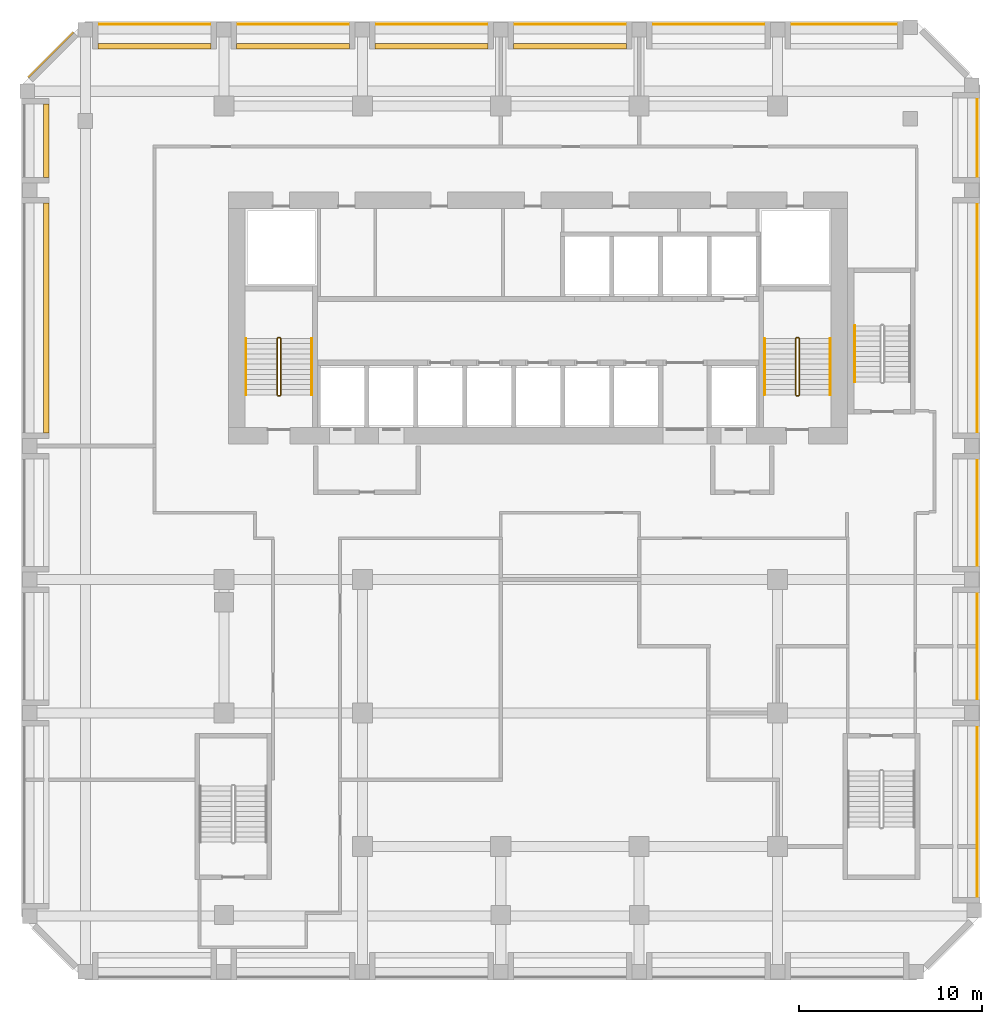
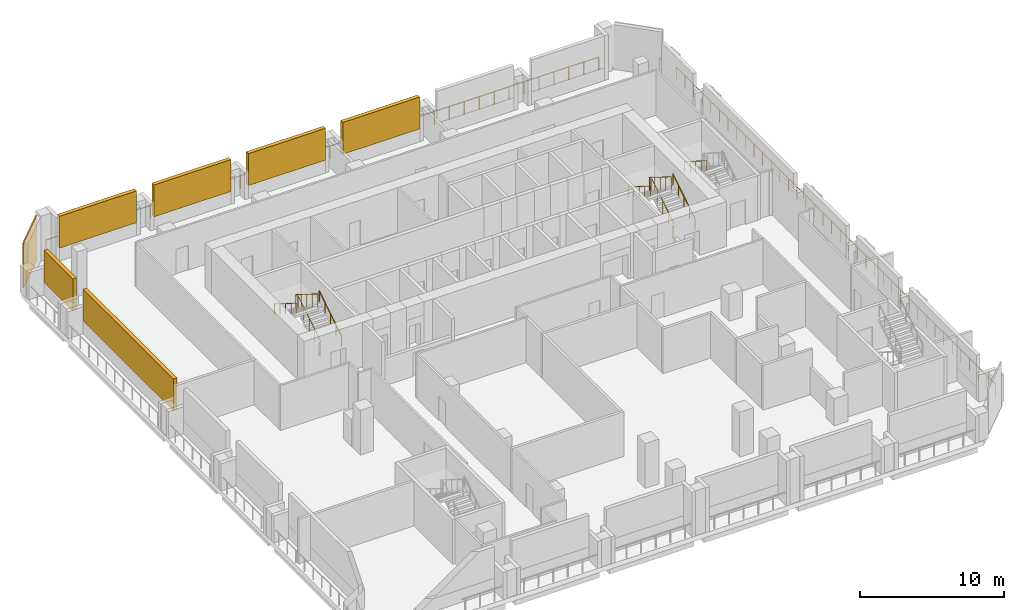
# One storey, part 9 of 10: 9 railings, 7 shading devices.
"""IFC4 building model written with IfcOpenShell, lengths in metres."""

from ifc_helpers import new_model, si_unit, direction, frame, origin, origin_2d, place, context, subcontext, project, spatial, rectangle, circle, extrude, source, transform, mapped, material, layer, layer_set, type_object, element, save


model = new_model("IFC4")

# Units and contexts
model_context = context("Model", 3, precision=1e-05, world=origin(), true_north=direction((0.0, 1.0)))
body_context = subcontext(model_context, "Body", "Model", "MODEL_VIEW")
ifc_project = project(units=[si_unit("LENGTHUNIT", "METRE"), si_unit("AREAUNIT", "SQUARE_METRE"), si_unit("VOLUMEUNIT", "CUBIC_METRE"), si_unit("PLANEANGLEUNIT", "RADIAN"), si_unit("MASSUNIT", "GRAM", prefix="KILO")], contexts=[model_context])

# Site, building, storey
site_placement = place(None, origin())
site = spatial("IfcSite", under=ifc_project, at=site_placement, CompositionType="ELEMENT")
building_placement = place(site_placement, origin())
building = spatial("IfcBuilding", under=site, at=building_placement, Name="Kilnfold Tower and Market Hall", CompositionType="ELEMENT")
storey_placement = place(building_placement, frame((0.0, 0.0, 164.300048828125)))
storey = spatial("IfcBuildingStorey", under=building, at=storey_placement, Name="L38 Plant Transfer Level", CompositionType="ELEMENT", Elevation=164.300048828125)

# Railings
ifc_material_1 = material(Name="Stainless steel 316", Category="steel")
railing_type_1 = type_object("IfcRailingType", Name="CORE STAIR GUARD 1100", PredefinedType="GUARDRAIL", material=ifc_material_1)
railing_1_placement = place(storey_placement, frame((-13.199951171875, 10.75, 0.0)))
element("IfcRailing", 1, at=railing_1_placement, inside=storey, type_object=railing_type_1, Name="L38 Plant Transfer Level ST1 stair guard 1", PredefinedType="GUARDRAIL", context=body_context, shape_type="SweptSolid", body=[
    extrude(circle(Radius=0.02392578125, at=origin_2d()), frame((0.0, 0.0, 1.076171875), z_axis=(1.0, 0.0, 0.0), x_axis=(0.0, 1.0, 0.0)), (0.0, 0.0, 1.0), 0.099853515625),
    extrude(circle(Radius=0.02392578125, at=origin_2d()), frame((0.099853515625, 0.0, 1.076171875), z_axis=(0.265065253269, 0.265065253269, 0.927081885822), x_axis=(-0.707106781187, 0.707106781187, 0.0)), (0.0, 0.0, 1.0), 0.188720703125),
    extrude(circle(Radius=0.02392578125, at=origin_2d()), frame((0.14990234375, 0.050048828125, 1.2509765625), z_axis=(0.0, 0.848009633417, 0.529980812513), x_axis=(-1.0, 0.0, 0.0)), (0.0, 0.0, 1.0), 3.6318359375),
    extrude(circle(Radius=0.02392578125, at=origin_2d()), frame((0.14990234375, 3.1298828125, 3.17578125), z_axis=(-0.707106781187, 0.707106781187, 0.0), x_axis=(-0.707106781187, -0.707106781187, 0.0)), (0.0, 0.0, 1.0), 0.07080078125),
    extrude(circle(Radius=0.02392578125, at=origin_2d()), frame((0.099853515625, 3.179931640625, 3.17578125), z_axis=(-1.0, 0.0, 0.0), x_axis=(0.0, -1.0, 0.0)), (0.0, 0.0, 1.0), 0.099853515625),
    extrude(circle(Radius=0.02392578125, at=origin_2d()), frame((0.0, 3.179931640625, 3.17578125), z_axis=(-0.265065253269, -0.265065253269, 0.927081885822), x_axis=(0.707106781187, -0.707106781187, 0.0)), (0.0, 0.0, 1.0), 0.188720703125),
    extrude(circle(Radius=0.02392578125, at=origin_2d()), frame((-0.050048828125, 3.1298828125, 3.35107421875), z_axis=(0.0, -0.847979421464, 0.530029150871), x_axis=(1.0, 0.0, 0.0)), (0.0, 0.0, 1.0), 3.632080078125),
    extrude(circle(Radius=0.02099609375, at=origin_2d()), origin(), (0.0, 0.0, 1.0), 1.052001953125),
    extrude(circle(Radius=0.02099609375, at=origin_2d()), frame((0.099853515625, 0.0, 0.0)), (0.0, 0.0, 1.0), 1.052001953125),
    extrude(circle(Radius=0.02099609375, at=origin_2d()), frame((0.14990234375, 0.050048828125, 0.175048828125)), (0.0, 0.0, 1.0), 1.052001953125),
    extrude(circle(Radius=0.02099609375, at=origin_2d()), frame((0.14990234375, 0.820068359375, 0.65625)), (0.0, 0.0, 1.0), 1.052001953125),
    extrude(circle(Radius=0.02099609375, at=origin_2d()), frame((0.14990234375, 1.58984375, 1.137451171875)), (0.0, 0.0, 1.0), 1.052001953125),
    extrude(circle(Radius=0.02099609375, at=origin_2d()), frame((0.14990234375, 2.35986328125, 1.61865234375)), (0.0, 0.0, 1.0), 1.052001953125),
    extrude(circle(Radius=0.02099609375, at=origin_2d()), frame((0.14990234375, 3.1298828125, 2.099853515625)), (0.0, 0.0, 1.0), 1.052001953125),
    extrude(circle(Radius=0.02099609375, at=origin_2d()), frame((0.099853515625, 3.179931640625, 2.099853515625)), (0.0, 0.0, 1.0), 1.052001953125),
    extrude(circle(Radius=0.02099609375, at=origin_2d()), frame((0.0, 3.179931640625, 2.099853515625)), (0.0, 0.0, 1.0), 1.052001953125),
    extrude(circle(Radius=0.02099609375, at=origin_2d()), frame((-0.050048828125, 3.1298828125, 2.27490234375)), (0.0, 0.0, 1.0), 1.052001953125),
    extrude(circle(Radius=0.02099609375, at=origin_2d()), frame((-0.050048828125, 2.35986328125, 2.756103515625)), (0.0, 0.0, 1.0), 1.052001953125),
    extrude(circle(Radius=0.02099609375, at=origin_2d()), frame((-0.050048828125, 1.58984375, 3.2373046875)), (0.0, 0.0, 1.0), 1.052001953125),
    extrude(circle(Radius=0.02099609375, at=origin_2d()), frame((-0.050048828125, 0.820068359375, 3.71875)), (0.0, 0.0, 1.0), 1.052001953125),
    extrude(circle(Radius=0.02099609375, at=origin_2d()), frame((-0.050048828125, 0.050048828125, 4.199951171875)), (0.0, 0.0, 1.0), 1.052001953125),
])
railing_2_placement = place(storey_placement, frame((15.199951171875, 10.75, 0.0)))
element("IfcRailing", 2, at=railing_2_placement, inside=storey, type_object=railing_type_1, Name="L38 Plant Transfer Level ST2 stair guard 1", PredefinedType="GUARDRAIL", context=body_context, shape_type="SweptSolid", body=[
    extrude(circle(Radius=0.02392578125, at=origin_2d()), frame((0.0, 0.0, 1.076171875), z_axis=(1.0, 0.0, 0.0), x_axis=(0.0, 1.0, 0.0)), (0.0, 0.0, 1.0), 0.10009765625),
    extrude(circle(Radius=0.02392578125, at=origin_2d()), frame((0.10009765625, 0.0, 1.076171875), z_axis=(0.265065253269, 0.265065253269, 0.927081885822), x_axis=(-0.707106781187, 0.707106781187, 0.0)), (0.0, 0.0, 1.0), 0.188720703125),
    extrude(circle(Radius=0.02392578125, at=origin_2d()), frame((0.150146484375, 0.050048828125, 1.2509765625), z_axis=(0.0, 0.848009633417, 0.529980812513), x_axis=(-1.0, 0.0, 0.0)), (0.0, 0.0, 1.0), 3.6318359375),
    extrude(circle(Radius=0.02392578125, at=origin_2d()), frame((0.150146484375, 3.1298828125, 3.17578125), z_axis=(-0.707106781187, 0.707106781187, 0.0), x_axis=(-0.707106781187, -0.707106781187, 0.0)), (0.0, 0.0, 1.0), 0.07080078125),
    extrude(circle(Radius=0.02392578125, at=origin_2d()), frame((0.10009765625, 3.179931640625, 3.17578125), z_axis=(-1.0, 0.0, 0.0), x_axis=(0.0, -1.0, 0.0)), (0.0, 0.0, 1.0), 0.10009765625),
    extrude(circle(Radius=0.02392578125, at=origin_2d()), frame((0.0, 3.179931640625, 3.17578125), z_axis=(-0.265065253269, -0.265065253269, 0.927081885822), x_axis=(0.707106781187, -0.707106781187, 0.0)), (0.0, 0.0, 1.0), 0.188720703125),
    extrude(circle(Radius=0.02392578125, at=origin_2d()), frame((-0.050048828125, 3.1298828125, 3.35107421875), z_axis=(0.0, -0.847979421464, 0.530029150871), x_axis=(1.0, 0.0, 0.0)), (0.0, 0.0, 1.0), 3.632080078125),
    extrude(circle(Radius=0.02099609375, at=origin_2d()), origin(), (0.0, 0.0, 1.0), 1.052001953125),
    extrude(circle(Radius=0.02099609375, at=origin_2d()), frame((0.10009765625, 0.0, 0.0)), (0.0, 0.0, 1.0), 1.052001953125),
    extrude(circle(Radius=0.02099609375, at=origin_2d()), frame((0.150146484375, 0.050048828125, 0.175048828125)), (0.0, 0.0, 1.0), 1.052001953125),
    extrude(circle(Radius=0.02099609375, at=origin_2d()), frame((0.150146484375, 0.820068359375, 0.65625)), (0.0, 0.0, 1.0), 1.052001953125),
    extrude(circle(Radius=0.02099609375, at=origin_2d()), frame((0.150146484375, 1.58984375, 1.137451171875)), (0.0, 0.0, 1.0), 1.052001953125),
    extrude(circle(Radius=0.02099609375, at=origin_2d()), frame((0.150146484375, 2.35986328125, 1.61865234375)), (0.0, 0.0, 1.0), 1.052001953125),
    extrude(circle(Radius=0.02099609375, at=origin_2d()), frame((0.150146484375, 3.1298828125, 2.099853515625)), (0.0, 0.0, 1.0), 1.052001953125),
    extrude(circle(Radius=0.02099609375, at=origin_2d()), frame((0.10009765625, 3.179931640625, 2.099853515625)), (0.0, 0.0, 1.0), 1.052001953125),
    extrude(circle(Radius=0.02099609375, at=origin_2d()), frame((0.0, 3.179931640625, 2.099853515625)), (0.0, 0.0, 1.0), 1.052001953125),
    extrude(circle(Radius=0.02099609375, at=origin_2d()), frame((-0.050048828125, 3.1298828125, 2.27490234375)), (0.0, 0.0, 1.0), 1.052001953125),
    extrude(circle(Radius=0.02099609375, at=origin_2d()), frame((-0.050048828125, 2.35986328125, 2.756103515625)), (0.0, 0.0, 1.0), 1.052001953125),
    extrude(circle(Radius=0.02099609375, at=origin_2d()), frame((-0.050048828125, 1.58984375, 3.2373046875)), (0.0, 0.0, 1.0), 1.052001953125),
    extrude(circle(Radius=0.02099609375, at=origin_2d()), frame((-0.050048828125, 0.820068359375, 3.71875)), (0.0, 0.0, 1.0), 1.052001953125),
    extrude(circle(Radius=0.02099609375, at=origin_2d()), frame((-0.050048828125, 0.050048828125, 4.199951171875)), (0.0, 0.0, 1.0), 1.052001953125),
])
ifc_material_2 = material(Name="Stainless steel 316", Category="steel")
railing_type_2 = type_object("IfcRailingType", Name="CORE STAIR HANDRAIL 900", PredefinedType="HANDRAIL", material=ifc_material_2)
railing_3_placement = place(storey_placement, frame((-11.35009765625, 10.800048828125, 0.175048828125)))
element("IfcRailing", 3, at=railing_3_placement, inside=storey, type_object=railing_type_2, Name="L38 Plant Transfer Level ST1 stair handrail 1", PredefinedType="HANDRAIL", context=body_context, shape_type="SweptSolid", body=[
    extrude(circle(Radius=0.02392578125, at=origin_2d()), frame((0.0, 0.0, 0.8759765625), z_axis=(0.0, 0.848009633417, 0.529980812513), x_axis=(-1.0, 0.0, 0.0)), (0.0, 0.0, 1.0), 3.6318359375),
    extrude(circle(Radius=0.02099609375, at=origin_2d()), origin(), (0.0, 0.0, 1.0), 0.851806640625),
    extrude(circle(Radius=0.02099609375, at=origin_2d()), frame((0.0, 0.77001953125, 0.481201171875)), (0.0, 0.0, 1.0), 0.851806640625),
    extrude(circle(Radius=0.02099609375, at=origin_2d()), frame((0.0, 1.5400390625, 0.96240234375)), (0.0, 0.0, 1.0), 0.851806640625),
    extrude(circle(Radius=0.02099609375, at=origin_2d()), frame((0.0, 2.309814453125, 1.443603515625)), (0.0, 0.0, 1.0), 0.851806640625),
    extrude(circle(Radius=0.02099609375, at=origin_2d()), frame((0.0, 3.079833984375, 1.9248046875)), (0.0, 0.0, 1.0), 0.851806640625),
])
railing_4_placement = place(storey_placement, frame((-14.949951171875, 13.8798828125, 2.27490234375)))
element("IfcRailing", 4, at=railing_4_placement, inside=storey, type_object=railing_type_2, Name="L38 Plant Transfer Level ST1 stair handrail 2", PredefinedType="HANDRAIL", context=body_context, shape_type="SweptSolid", body=[
    extrude(circle(Radius=0.02392578125, at=origin_2d()), frame((0.0, 0.0, 0.8759765625), z_axis=(0.0, -0.847979421464, 0.530029150871), x_axis=(1.0, 0.0, 0.0)), (0.0, 0.0, 1.0), 3.632080078125),
    extrude(circle(Radius=0.02099609375, at=origin_2d()), origin(), (0.0, 0.0, 1.0), 0.851806640625),
    extrude(circle(Radius=0.02099609375, at=origin_2d()), frame((0.0, -0.77001953125, 0.481201171875)), (0.0, 0.0, 1.0), 0.851806640625),
    extrude(circle(Radius=0.02099609375, at=origin_2d()), frame((0.0, -1.5400390625, 0.96240234375)), (0.0, 0.0, 1.0), 0.851806640625),
    extrude(circle(Radius=0.02099609375, at=origin_2d()), frame((0.0, -2.309814453125, 1.44384765625)), (0.0, 0.0, 1.0), 0.851806640625),
    extrude(circle(Radius=0.02099609375, at=origin_2d()), frame((0.0, -3.079833984375, 1.925048828125)), (0.0, 0.0, 1.0), 0.851806640625),
])
railing_5_placement = place(storey_placement, frame((17.050048828125, 10.800048828125, 0.175048828125)))
element("IfcRailing", 5, at=railing_5_placement, inside=storey, type_object=railing_type_2, Name="L38 Plant Transfer Level ST2 stair handrail 1", PredefinedType="HANDRAIL", context=body_context, shape_type="SweptSolid", body=[
    extrude(circle(Radius=0.02392578125, at=origin_2d()), frame((0.0, 0.0, 0.8759765625), z_axis=(0.0, 0.848009633417, 0.529980812513), x_axis=(-1.0, 0.0, 0.0)), (0.0, 0.0, 1.0), 3.6318359375),
    extrude(circle(Radius=0.02099609375, at=origin_2d()), origin(), (0.0, 0.0, 1.0), 0.851806640625),
    extrude(circle(Radius=0.02099609375, at=origin_2d()), frame((0.0, 0.77001953125, 0.481201171875)), (0.0, 0.0, 1.0), 0.851806640625),
    extrude(circle(Radius=0.02099609375, at=origin_2d()), frame((0.0, 1.5400390625, 0.96240234375)), (0.0, 0.0, 1.0), 0.851806640625),
    extrude(circle(Radius=0.02099609375, at=origin_2d()), frame((0.0, 2.309814453125, 1.443603515625)), (0.0, 0.0, 1.0), 0.851806640625),
    extrude(circle(Radius=0.02099609375, at=origin_2d()), frame((0.0, 3.079833984375, 1.9248046875)), (0.0, 0.0, 1.0), 0.851806640625),
])
railing_6_placement = place(storey_placement, frame((13.449951171875, 13.8798828125, 2.27490234375)))
element("IfcRailing", 6, at=railing_6_placement, inside=storey, type_object=railing_type_2, Name="L38 Plant Transfer Level ST2 stair handrail 2", PredefinedType="HANDRAIL", context=body_context, shape_type="SweptSolid", body=[
    extrude(circle(Radius=0.02392578125, at=origin_2d()), frame((0.0, 0.0, 0.8759765625), z_axis=(0.0, -0.847979421464, 0.530029150871), x_axis=(1.0, 0.0, 0.0)), (0.0, 0.0, 1.0), 3.632080078125),
    extrude(circle(Radius=0.02099609375, at=origin_2d()), origin(), (0.0, 0.0, 1.0), 0.851806640625),
    extrude(circle(Radius=0.02099609375, at=origin_2d()), frame((0.0, -0.77001953125, 0.481201171875)), (0.0, 0.0, 1.0), 0.851806640625),
    extrude(circle(Radius=0.02099609375, at=origin_2d()), frame((0.0, -1.5400390625, 0.96240234375)), (0.0, 0.0, 1.0), 0.851806640625),
    extrude(circle(Radius=0.02099609375, at=origin_2d()), frame((0.0, -2.309814453125, 1.44384765625)), (0.0, 0.0, 1.0), 0.851806640625),
    extrude(circle(Radius=0.02099609375, at=origin_2d()), frame((0.0, -3.079833984375, 1.925048828125)), (0.0, 0.0, 1.0), 0.851806640625),
])
railing_7_placement = place(storey_placement, frame((18.39990234375, 14.580078125, 2.27490234375)))
element("IfcRailing", 7, at=railing_7_placement, inside=storey, type_object=railing_type_2, Name="L38 Plant Transfer Level ST5 stair handrail 2", PredefinedType="HANDRAIL", context=body_context, shape_type="SweptSolid", body=[
    extrude(circle(Radius=0.02392578125, at=origin_2d()), frame((0.0, 0.0, 0.8759765625), z_axis=(0.0, -0.847998304005, 0.529998940003), x_axis=(1.0, 0.0, 0.0)), (0.0, 0.0, 1.0), 3.632080078125),
    extrude(circle(Radius=0.02099609375, at=origin_2d()), origin(), (0.0, 0.0, 1.0), 0.851806640625),
    extrude(circle(Radius=0.02099609375, at=origin_2d()), frame((0.0, -0.77001953125, 0.481201171875)), (0.0, 0.0, 1.0), 0.851806640625),
    extrude(circle(Radius=0.02099609375, at=origin_2d()), frame((0.0, -1.5400390625, 0.96240234375)), (0.0, 0.0, 1.0), 0.851806640625),
    extrude(circle(Radius=0.02099609375, at=origin_2d()), frame((0.0, -2.31005859375, 1.44384765625)), (0.0, 0.0, 1.0), 0.851806640625),
    extrude(circle(Radius=0.02099609375, at=origin_2d()), frame((0.0, -3.080078125, 1.925048828125)), (0.0, 0.0, 1.0), 0.851806640625),
])
ifc_material_3 = material(Name="Stainless steel and laminated glass", Category="steel")
railing_type_3 = type_object("IfcRailingType", Name="GUARD 1100", PredefinedType="GUARDRAIL", material=ifc_material_3)
railing_8_placement = place(storey_placement, frame((25.10009765625, -17.03173828125, 0.0)))
element("IfcRailing", 8, at=railing_8_placement, inside=storey, type_object=railing_type_3, Name="Guard plant edge E L38", PredefinedType="GUARDRAIL", context=body_context, shape_type="SweptSolid", body=[
    extrude(circle(Radius=0.02490234375, at=origin_2d()), frame((0.0, 0.0, 1.0751953125), z_axis=(0.0, 1.0, 0.0), x_axis=(-1.0, 0.0, 0.0)), (0.0, 0.0, 1.0), 44.3818359375),
    extrude(circle(Radius=0.02490234375, at=origin_2d()), origin(), (0.0, 0.0, 1.0), 1.050048828125),
    extrude(circle(Radius=0.02490234375, at=origin_2d()), frame((0.0, 1.199462890625, 0.0)), (0.0, 0.0, 1.0), 1.050048828125),
    extrude(circle(Radius=0.02490234375, at=origin_2d()), frame((0.0, 2.39892578125, 0.0)), (0.0, 0.0, 1.0), 1.050048828125),
    extrude(circle(Radius=0.02490234375, at=origin_2d()), frame((0.0, 3.5986328125, 0.0)), (0.0, 0.0, 1.0), 1.050048828125),
    extrude(circle(Radius=0.02490234375, at=origin_2d()), frame((0.0, 4.798095703125, 0.0)), (0.0, 0.0, 1.0), 1.050048828125),
    extrude(circle(Radius=0.02490234375, at=origin_2d()), frame((0.0, 5.99755859375, 0.0)), (0.0, 0.0, 1.0), 1.050048828125),
    extrude(circle(Radius=0.02490234375, at=origin_2d()), frame((0.0, 7.197021484375, 0.0)), (0.0, 0.0, 1.0), 1.050048828125),
    extrude(circle(Radius=0.02490234375, at=origin_2d()), frame((0.0, 8.396484375, 0.0)), (0.0, 0.0, 1.0), 1.050048828125),
    extrude(circle(Radius=0.02490234375, at=origin_2d()), frame((0.0, 9.59619140625, 0.0)), (0.0, 0.0, 1.0), 1.050048828125),
    extrude(circle(Radius=0.02490234375, at=origin_2d()), frame((0.0, 10.795654296875, 0.0)), (0.0, 0.0, 1.0), 1.050048828125),
    extrude(circle(Radius=0.02490234375, at=origin_2d()), frame((0.0, 11.9951171875, 0.0)), (0.0, 0.0, 1.0), 1.050048828125),
    extrude(circle(Radius=0.02490234375, at=origin_2d()), frame((0.0, 13.194580078125, 0.0)), (0.0, 0.0, 1.0), 1.050048828125),
    extrude(circle(Radius=0.02490234375, at=origin_2d()), frame((0.0, 14.39404296875, 0.0)), (0.0, 0.0, 1.0), 1.050048828125),
    extrude(circle(Radius=0.02490234375, at=origin_2d()), frame((0.0, 15.593505859375, 0.0)), (0.0, 0.0, 1.0), 1.050048828125),
    extrude(circle(Radius=0.02490234375, at=origin_2d()), frame((0.0, 16.793212890625, 0.0)), (0.0, 0.0, 1.0), 1.050048828125),
    extrude(circle(Radius=0.02490234375, at=origin_2d()), frame((0.0, 17.99267578125, 0.0)), (0.0, 0.0, 1.0), 1.050048828125),
    extrude(circle(Radius=0.02490234375, at=origin_2d()), frame((0.0, 19.192138671875, 0.0)), (0.0, 0.0, 1.0), 1.050048828125),
    extrude(circle(Radius=0.02490234375, at=origin_2d()), frame((0.0, 20.3916015625, 0.0)), (0.0, 0.0, 1.0), 1.050048828125),
    extrude(circle(Radius=0.02490234375, at=origin_2d()), frame((0.0, 21.591064453125, 0.0)), (0.0, 0.0, 1.0), 1.050048828125),
    extrude(circle(Radius=0.02490234375, at=origin_2d()), frame((0.0, 22.790771484375, 0.0)), (0.0, 0.0, 1.0), 1.050048828125),
    extrude(circle(Radius=0.02490234375, at=origin_2d()), frame((0.0, 23.990234375, 0.0)), (0.0, 0.0, 1.0), 1.050048828125),
    extrude(circle(Radius=0.02490234375, at=origin_2d()), frame((0.0, 25.189697265625, 0.0)), (0.0, 0.0, 1.0), 1.050048828125),
    extrude(circle(Radius=0.02490234375, at=origin_2d()), frame((0.0, 26.38916015625, 0.0)), (0.0, 0.0, 1.0), 1.050048828125),
    extrude(circle(Radius=0.02490234375, at=origin_2d()), frame((0.0, 27.588623046875, 0.0)), (0.0, 0.0, 1.0), 1.050048828125),
    extrude(circle(Radius=0.02490234375, at=origin_2d()), frame((0.0, 28.788330078125, 0.0)), (0.0, 0.0, 1.0), 1.050048828125),
    extrude(circle(Radius=0.02490234375, at=origin_2d()), frame((0.0, 29.98779296875, 0.0)), (0.0, 0.0, 1.0), 1.050048828125),
    extrude(circle(Radius=0.02490234375, at=origin_2d()), frame((0.0, 31.187255859375, 0.0)), (0.0, 0.0, 1.0), 1.050048828125),
    extrude(circle(Radius=0.02490234375, at=origin_2d()), frame((0.0, 32.38671875, 0.0)), (0.0, 0.0, 1.0), 1.050048828125),
    extrude(circle(Radius=0.02490234375, at=origin_2d()), frame((0.0, 33.586181640625, 0.0)), (0.0, 0.0, 1.0), 1.050048828125),
    extrude(circle(Radius=0.02490234375, at=origin_2d()), frame((0.0, 34.78564453125, 0.0)), (0.0, 0.0, 1.0), 1.050048828125),
    extrude(circle(Radius=0.02490234375, at=origin_2d()), frame((0.0, 35.9853515625, 0.0)), (0.0, 0.0, 1.0), 1.050048828125),
    extrude(circle(Radius=0.02490234375, at=origin_2d()), frame((0.0, 37.184814453125, 0.0)), (0.0, 0.0, 1.0), 1.050048828125),
    extrude(circle(Radius=0.02490234375, at=origin_2d()), frame((0.0, 38.38427734375, 0.0)), (0.0, 0.0, 1.0), 1.050048828125),
    extrude(circle(Radius=0.02490234375, at=origin_2d()), frame((0.0, 39.583740234375, 0.0)), (0.0, 0.0, 1.0), 1.050048828125),
    extrude(circle(Radius=0.02490234375, at=origin_2d()), frame((0.0, 40.783203125, 0.0)), (0.0, 0.0, 1.0), 1.050048828125),
    extrude(circle(Radius=0.02490234375, at=origin_2d()), frame((0.0, 41.98291015625, 0.0)), (0.0, 0.0, 1.0), 1.050048828125),
    extrude(circle(Radius=0.02490234375, at=origin_2d()), frame((0.0, 43.182373046875, 0.0)), (0.0, 0.0, 1.0), 1.050048828125),
    extrude(circle(Radius=0.02490234375, at=origin_2d()), frame((0.0, 44.3818359375, 0.0)), (0.0, 0.0, 1.0), 1.050048828125),
])
railing_9_placement = place(storey_placement, frame((21.03173828125, 31.10009765625, 0.0)))
element("IfcRailing", 9, at=railing_9_placement, inside=storey, type_object=railing_type_3, Name="Guard plant edge N L38", PredefinedType="GUARDRAIL", context=body_context, shape_type="SweptSolid", body=[
    extrude(circle(Radius=0.02490234375, at=origin_2d()), frame((0.0, 0.0, 1.0751953125), z_axis=(-1.0, 0.0, 0.0), x_axis=(0.0, -1.0, 0.0)), (0.0, 0.0, 1.0), 44.3818359375),
    extrude(circle(Radius=0.02490234375, at=origin_2d()), origin(), (0.0, 0.0, 1.0), 1.050048828125),
    extrude(circle(Radius=0.02490234375, at=origin_2d()), frame((-1.199462890625, 0.0, 0.0)), (0.0, 0.0, 1.0), 1.050048828125),
    extrude(circle(Radius=0.02490234375, at=origin_2d()), frame((-2.39892578125, 0.0, 0.0)), (0.0, 0.0, 1.0), 1.050048828125),
    extrude(circle(Radius=0.02490234375, at=origin_2d()), frame((-3.5986328125, 0.0, 0.0)), (0.0, 0.0, 1.0), 1.050048828125),
    extrude(circle(Radius=0.02490234375, at=origin_2d()), frame((-4.798095703125, 0.0, 0.0)), (0.0, 0.0, 1.0), 1.050048828125),
    extrude(circle(Radius=0.02490234375, at=origin_2d()), frame((-5.99755859375, 0.0, 0.0)), (0.0, 0.0, 1.0), 1.050048828125),
    extrude(circle(Radius=0.02490234375, at=origin_2d()), frame((-7.197021484375, 0.0, 0.0)), (0.0, 0.0, 1.0), 1.050048828125),
    extrude(circle(Radius=0.02490234375, at=origin_2d()), frame((-8.396484375, 0.0, 0.0)), (0.0, 0.0, 1.0), 1.050048828125),
    extrude(circle(Radius=0.02490234375, at=origin_2d()), frame((-9.59619140625, 0.0, 0.0)), (0.0, 0.0, 1.0), 1.050048828125),
    extrude(circle(Radius=0.02490234375, at=origin_2d()), frame((-10.795654296875, 0.0, 0.0)), (0.0, 0.0, 1.0), 1.050048828125),
    extrude(circle(Radius=0.02490234375, at=origin_2d()), frame((-11.9951171875, 0.0, 0.0)), (0.0, 0.0, 1.0), 1.050048828125),
    extrude(circle(Radius=0.02490234375, at=origin_2d()), frame((-13.194580078125, 0.0, 0.0)), (0.0, 0.0, 1.0), 1.050048828125),
    extrude(circle(Radius=0.02490234375, at=origin_2d()), frame((-14.39404296875, 0.0, 0.0)), (0.0, 0.0, 1.0), 1.050048828125),
    extrude(circle(Radius=0.02490234375, at=origin_2d()), frame((-15.593505859375, 0.0, 0.0)), (0.0, 0.0, 1.0), 1.050048828125),
    extrude(circle(Radius=0.02490234375, at=origin_2d()), frame((-16.793212890625, 0.0, 0.0)), (0.0, 0.0, 1.0), 1.050048828125),
    extrude(circle(Radius=0.02490234375, at=origin_2d()), frame((-17.99267578125, 0.0, 0.0)), (0.0, 0.0, 1.0), 1.050048828125),
    extrude(circle(Radius=0.02490234375, at=origin_2d()), frame((-19.192138671875, 0.0, 0.0)), (0.0, 0.0, 1.0), 1.050048828125),
    extrude(circle(Radius=0.02490234375, at=origin_2d()), frame((-20.3916015625, 0.0, 0.0)), (0.0, 0.0, 1.0), 1.050048828125),
    extrude(circle(Radius=0.02490234375, at=origin_2d()), frame((-21.591064453125, 0.0, 0.0)), (0.0, 0.0, 1.0), 1.050048828125),
    extrude(circle(Radius=0.02490234375, at=origin_2d()), frame((-22.790771484375, 0.0, 0.0)), (0.0, 0.0, 1.0), 1.050048828125),
    extrude(circle(Radius=0.02490234375, at=origin_2d()), frame((-23.990234375, 0.0, 0.0)), (0.0, 0.0, 1.0), 1.050048828125),
    extrude(circle(Radius=0.02490234375, at=origin_2d()), frame((-25.189697265625, 0.0, 0.0)), (0.0, 0.0, 1.0), 1.050048828125),
    extrude(circle(Radius=0.02490234375, at=origin_2d()), frame((-26.38916015625, 0.0, 0.0)), (0.0, 0.0, 1.0), 1.050048828125),
    extrude(circle(Radius=0.02490234375, at=origin_2d()), frame((-27.588623046875, 0.0, 0.0)), (0.0, 0.0, 1.0), 1.050048828125),
    extrude(circle(Radius=0.02490234375, at=origin_2d()), frame((-28.788330078125, 0.0, 0.0)), (0.0, 0.0, 1.0), 1.050048828125),
    extrude(circle(Radius=0.02490234375, at=origin_2d()), frame((-29.98779296875, 0.0, 0.0)), (0.0, 0.0, 1.0), 1.050048828125),
    extrude(circle(Radius=0.02490234375, at=origin_2d()), frame((-31.187255859375, 0.0, 0.0)), (0.0, 0.0, 1.0), 1.050048828125),
    extrude(circle(Radius=0.02490234375, at=origin_2d()), frame((-32.38671875, 0.0, 0.0)), (0.0, 0.0, 1.0), 1.050048828125),
    extrude(circle(Radius=0.02490234375, at=origin_2d()), frame((-33.586181640625, 0.0, 0.0)), (0.0, 0.0, 1.0), 1.050048828125),
    extrude(circle(Radius=0.02490234375, at=origin_2d()), frame((-34.78564453125, 0.0, 0.0)), (0.0, 0.0, 1.0), 1.050048828125),
    extrude(circle(Radius=0.02490234375, at=origin_2d()), frame((-35.9853515625, 0.0, 0.0)), (0.0, 0.0, 1.0), 1.050048828125),
    extrude(circle(Radius=0.02490234375, at=origin_2d()), frame((-37.184814453125, 0.0, 0.0)), (0.0, 0.0, 1.0), 1.050048828125),
    extrude(circle(Radius=0.02490234375, at=origin_2d()), frame((-38.38427734375, 0.0, 0.0)), (0.0, 0.0, 1.0), 1.050048828125),
    extrude(circle(Radius=0.02490234375, at=origin_2d()), frame((-39.583740234375, 0.0, 0.0)), (0.0, 0.0, 1.0), 1.050048828125),
    extrude(circle(Radius=0.02490234375, at=origin_2d()), frame((-40.783203125, 0.0, 0.0)), (0.0, 0.0, 1.0), 1.050048828125),
    extrude(circle(Radius=0.02490234375, at=origin_2d()), frame((-41.98291015625, 0.0, 0.0)), (0.0, 0.0, 1.0), 1.050048828125),
    extrude(circle(Radius=0.02490234375, at=origin_2d()), frame((-43.182373046875, 0.0, 0.0)), (0.0, 0.0, 1.0), 1.050048828125),
    extrude(circle(Radius=0.02490234375, at=origin_2d()), frame((-44.3818359375, 0.0, 0.0)), (0.0, 0.0, 1.0), 1.050048828125),
])

# Shading devices
ifc_material_4 = material(Name="Anodised aluminium", Category="aluminium")
shading_device_type_1 = type_object("IfcShadingDeviceType", Name="LOUVRE", PredefinedType="JALOUSIE", material=ifc_material_4)
shared_shape_1 = source(origin(), body_context, "Body", "SweptSolid", [
    extrude(rectangle(XDim=6.183349609375, YDim=0.300048828125, at=origin_2d()), origin(), (0.0, 0.0, 1.0), 2.699951171875),
])
for number, where, z_axis, x_axis, name in (
    (10, (2.79150390625, 29.89990234375, 1.10009765625), (0.0, 0.0, 1.0), (-1.0, 0.0, 0.0), "Plant louvre L38 N"),
    (11, (-4.79150390625, 29.89990234375, 1.10009765625), (0.0, 0.0, 1.0), (-1.0, 0.0, 0.0), "Plant louvre L38 N"),
    (12, (-12.375, 29.89990234375, 1.10009765625), (0.0, 0.0, 1.0), (-1.0, 0.0, 0.0), "Plant louvre L38 N"),
    (13, (-19.958251953125, 29.89990234375, 1.10009765625), (0.0, 0.0, 1.0), (-1.0, 0.0, 0.0), "Plant louvre L38 N"),
):
    element("IfcShadingDevice", number, at=place(storey_placement, frame(where, z_axis=z_axis, x_axis=x_axis)), inside=storey, type_object=shading_device_type_1, Name=name, ObjectType="LOUVRE", PredefinedType="JALOUSIE", context=body_context, shape_type="MappedRepresentation", body=[
        mapped(shared_shape_1, transform((0.0, 0.0, 0.0))),
    ])
ifc_material_5 = material(Name="Terracotta", Category="masonry")
ifc_layer = layer(ifc_material_5, 0.10009765625)
ifc_layer_set = layer_set([ifc_layer], Name="Terracotta")
shading_device_type_2 = type_object("IfcShadingDeviceType", Name="TERRACOTTA SCREEN 100", PredefinedType="USERDEFINED", material=ifc_layer_set)
shared_shape_2 = source(origin(), body_context, "Body", "SweptSolid", [
    extrude(rectangle(XDim=3.500244140625, YDim=0.10009765625, at=origin_2d()), origin(), (0.0, 0.0, 1.0), 3.800048828125),
])
shading_device_1_placement = place(storey_placement, frame((-25.64794921875, 29.4228515625, 0.0), z_axis=(0.0, 0.0, 1.0), x_axis=(-0.707106781187, -0.707106781187, 0.0)))
element("IfcShadingDevice", 14, at=shading_device_1_placement, inside=storey, type_object=shading_device_type_2, Name="Plant screen L38 NW", ObjectType="SCREEN", PredefinedType="USERDEFINED", context=body_context, shape_type="MappedRepresentation", body=[
    mapped(shared_shape_2, transform((0.0, 0.0, 0.0))),
])
shared_shape_3 = source(origin(), body_context, "Body", "SweptSolid", [
    extrude(rectangle(XDim=12.60009765625, YDim=0.300048828125, at=origin_2d()), origin(), (0.0, 0.0, 1.0), 2.699951171875),
])
shading_device_2_placement = place(storey_placement, frame((-25.89990234375, 15.0, 1.10009765625), z_axis=(0.0, 0.0, 1.0), x_axis=(0.0, -1.0, 0.0)))
element("IfcShadingDevice", 15, at=shading_device_2_placement, inside=storey, type_object=shading_device_type_1, Name="Plant louvre L38 W", ObjectType="LOUVRE", PredefinedType="JALOUSIE", context=body_context, shape_type="MappedRepresentation", body=[
    mapped(shared_shape_3, transform((0.0, 0.0, 0.0))),
])
shared_shape_4 = source(origin(), body_context, "Body", "SweptSolid", [
    extrude(rectangle(XDim=4.03173828125, YDim=0.300048828125, at=origin_2d()), origin(), (0.0, 0.0, 1.0), 2.699951171875),
])
shading_device_3_placement = place(storey_placement, frame((-25.89990234375, 24.7158203125, 1.10009765625), z_axis=(0.0, 0.0, 1.0), x_axis=(0.0, -1.0, 0.0)))
element("IfcShadingDevice", 16, at=shading_device_3_placement, inside=storey, type_object=shading_device_type_1, Name="Plant louvre L38 W", ObjectType="LOUVRE", PredefinedType="JALOUSIE", context=body_context, shape_type="MappedRepresentation", body=[
    mapped(shared_shape_4, transform((0.0, 0.0, 0.0))),
])

save(model, "model.ifc")
